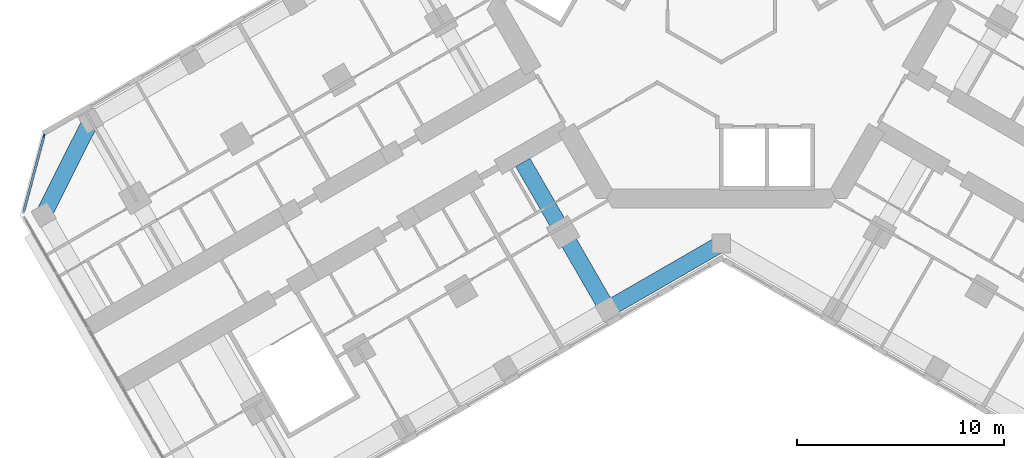
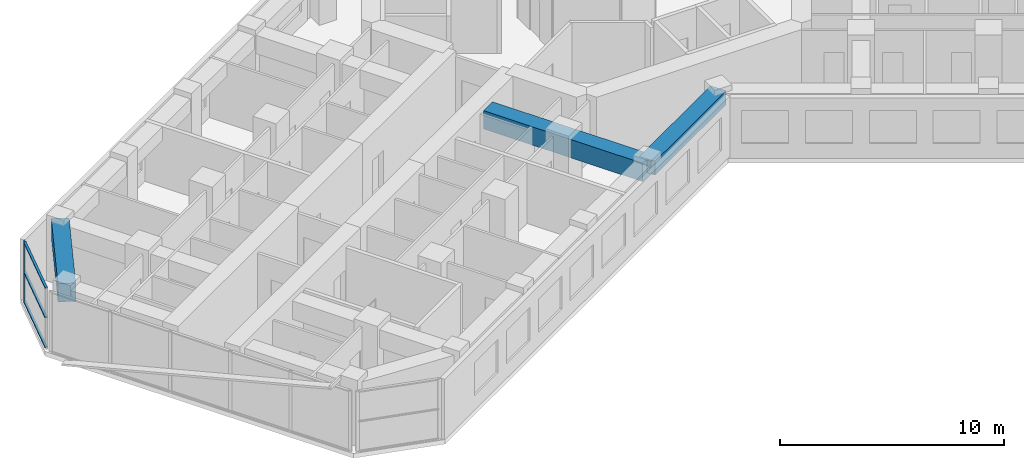
# One storey, part 3 of 20: 4 members, 3 beams, 1 element without a shape of its own.
"""IFC4 building model written with IfcOpenShell, lengths in metres."""

from ifc_helpers import new_model, si_unit, direction, frame, origin, origin_2d, place, context, subcontext, project, spatial, rectangle, extrude, material, material_profile, profile_set, type_object, element, aggregate, save


model = new_model("IFC4")

# Units and contexts
model_context = context("Model", 3, precision=1e-05, world=origin(), true_north=direction((0.0, 1.0)))
body_context = subcontext(model_context, "Body", "Model", "MODEL_VIEW")
ifc_project = project(units=[si_unit("LENGTHUNIT", "METRE"), si_unit("AREAUNIT", "SQUARE_METRE"), si_unit("VOLUMEUNIT", "CUBIC_METRE"), si_unit("PLANEANGLEUNIT", "RADIAN"), si_unit("MASSUNIT", "GRAM", prefix="KILO")], contexts=[model_context])

# Site, building, storey
site_placement = place(None, origin())
site = spatial("IfcSite", under=ifc_project, at=site_placement, CompositionType="ELEMENT")
building_placement = place(site_placement, origin())
building = spatial("IfcBuilding", under=site, at=building_placement, Name="Kosmar Iwan School Tower", CompositionType="ELEMENT")
storey_placement = place(building_placement, frame((0.0, 0.0, 183.199951171875)))
storey = spatial("IfcBuildingStorey", under=building, at=storey_placement, Name="L46", CompositionType="ELEMENT", Elevation=183.199951171875)

# Beams
ifc_material_1 = material(Name="Concrete C50/60", Category="concrete")
ifc_material_profile_1 = material_profile(ifc_material_1, rectangle(XDim=0.800048828125, YDim=0.75, at=origin_2d()), Name="RC 800x750 + HD 400x634")
ifc_profile_set_1 = profile_set([ifc_material_profile_1], Name="Concrete C50/60")
beam_type_1 = type_object("IfcBeamType", Name="Composite edge beam 800x750 HD 400x634", PredefinedType="BEAM", material=ifc_profile_set_1)
beam_1_placement = place(storey_placement, frame((0.0, -11.77783203125, 2.925048828125), z_axis=(-0.866014293216, -0.500019243575, 0.0), x_axis=(0.500019243575, -0.866014293216, 0.0)))
element("IfcBeam", 1, at=beam_1_placement, inside=storey, type_object=beam_type_1, Name="Edge beam BL1", PredefinedType="BEAM", context=body_context, shape_type="SweptSolid", body=[
    extrude(rectangle(XDim=0.800048828125, YDim=0.75, at=origin_2d()), origin(), (0.0, 0.0, 1.0), 6.361083984375),
])
ifc_material_2 = material(Name="Concrete C50/60", Category="concrete")
ifc_material_profile_2 = material_profile(ifc_material_2, rectangle(XDim=0.800048828125, YDim=1.0, at=origin_2d()), Name="RC 800x1000 + HD 400x347")
ifc_profile_set_2 = profile_set([ifc_material_profile_2], Name="Concrete C50/60")
beam_type_2 = type_object("IfcBeamType", Name="Composite tip beam 800x1000 HD 400x347", PredefinedType="BEAM", material=ifc_profile_set_2)
beam_2_placement = place(storey_placement, frame((-30.517822265625, -5.841552734375, 2.800048828125), z_axis=(-0.44809604203, -0.893985423325, 0.0), x_axis=(0.893985423325, -0.44809604203, 0.0)))
element("IfcBeam", 2, at=beam_2_placement, inside=storey, type_object=beam_type_2, Name="Tip beam BR", PredefinedType="BEAM", context=body_context, shape_type="SweptSolid", body=[
    extrude(rectangle(XDim=0.800048828125, YDim=1.0, at=origin_2d()), origin(), (0.0, 0.0, 1.0), 5.08935546875),
])
ifc_material_3 = material(Name="Concrete C50/60", Category="concrete")
ifc_material_profile_3 = material_profile(ifc_material_3, rectangle(XDim=0.800048828125, YDim=1.0, at=origin_2d()), Name="RC 800x1000 + HD 400x634")
ifc_profile_set_3 = profile_set([ifc_material_profile_3], Name="Concrete C50/60")
beam_type_3 = type_object("IfcBeamType", Name="Composite transverse beam 800x1000 HD 400x634", PredefinedType="BEAM", material=ifc_profile_set_3)
beam_3_placement = place(storey_placement, frame((-5.5087890625, -14.95849609375, 2.800048828125), z_axis=(-0.500000789788, 0.8660249478, 0.0), x_axis=(-0.8660249478, -0.500000789788, 0.0)))
element("IfcBeam", 3, at=beam_3_placement, inside=storey, type_object=beam_type_3, Name="Transverse beam BL1", PredefinedType="BEAM", context=body_context, shape_type="SweptSolid", body=[
    extrude(rectangle(XDim=0.800048828125, YDim=1.0, at=origin_2d()), origin(), (0.0, 0.0, 1.0), 8.2001953125),
])

# Curtain wall, members
ifc_material_4 = material(Name="Dark glass in black aluminium frame", Category="aluminium")
curtain_wall_type = type_object("IfcCurtainWallType", Name="Chamfer curtain wall dark glass", PredefinedType="USERDEFINED", material=ifc_material_4)
curtain_wall_placement = place(storey_placement, origin())
curtain_wall = element("IfcCurtainWall", 4, at=curtain_wall_placement, inside=storey, type_object=curtain_wall_type, Name="Curtain wall L46-F12", ObjectType="FACETED CURTAIN WALL", PredefinedType="USERDEFINED")
ifc_material_5 = material(Name="Black anodised aluminium", Category="aluminium")
ifc_material_profile_4 = material_profile(ifc_material_5, rectangle(XDim=0.06005859375, YDim=0.159912109375, at=origin_2d()), Name="MULLION 60x160")
ifc_profile_set_4 = profile_set([ifc_material_profile_4], Name="Black anodised aluminium")
member_type_1 = type_object("IfcMemberType", Name="Mullion 60x160", PredefinedType="MULLION", material=ifc_profile_set_4)
member_1_placement = place(storey_placement, frame((-32.78076171875, -6.5732421875, 0.0), z_axis=(0.0, 0.0, 1.0), x_axis=(0.965925875495, -0.258818861462, 0.0)))
member_1 = element("IfcMember", 5, at=member_1_placement, type_object=member_type_1, Name="CW2 mullion 1", PredefinedType="MULLION", context=body_context, shape_type="SweptSolid", body=[
    extrude(rectangle(XDim=0.06005859375, YDim=0.159912109375, at=origin_2d()), origin(), (0.0, 0.0, 1.0), 3.300048828125),
])
ifc_material_6 = material(Name="Black anodised aluminium", Category="aluminium")
ifc_material_profile_5 = material_profile(ifc_material_6, rectangle(XDim=0.1201171875, YDim=0.06005859375, at=origin_2d()), Name="TRANSOM 60x120")
ifc_profile_set_5 = profile_set([ifc_material_profile_5], Name="Black anodised aluminium")
member_type_2 = type_object("IfcMemberType", Name="Transom 60x120", PredefinedType="USERDEFINED", material=ifc_profile_set_5)
member_2_placement = place(storey_placement, frame((-32.788330078125, -6.602294921875, 0.030029296875), z_axis=(-0.258843273983, -0.965919333854, 0.0), x_axis=(0.965919333854, -0.258843273983, 0.0)))
member_2 = element("IfcMember", 6, at=member_2_placement, type_object=member_type_2, Name="CW2 transom 1.1", ObjectType="TRANSOM", PredefinedType="USERDEFINED", context=body_context, shape_type="SweptSolid", body=[
    extrude(rectangle(XDim=0.1201171875, YDim=0.06005859375, at=origin_2d()), origin(), (0.0, 0.0, 1.0), 3.718994140625),
])
member_3_placement = place(storey_placement, frame((-32.788330078125, -6.602294921875, 1.650146484375), z_axis=(-0.258843273983, -0.965919333854, 0.0), x_axis=(0.965919333854, -0.258843273983, 0.0)))
member_3 = element("IfcMember", 7, at=member_3_placement, type_object=member_type_2, Name="CW2 transom 1.2", ObjectType="TRANSOM", PredefinedType="USERDEFINED", context=body_context, shape_type="SweptSolid", body=[
    extrude(rectangle(XDim=0.1201171875, YDim=0.06005859375, at=origin_2d()), origin(), (0.0, 0.0, 1.0), 3.718994140625),
])
member_4_placement = place(storey_placement, frame((-32.788330078125, -6.602294921875, 3.27001953125), z_axis=(-0.258843273983, -0.965919333854, 0.0), x_axis=(0.965919333854, -0.258843273983, 0.0)))
member_4 = element("IfcMember", 8, at=member_4_placement, type_object=member_type_2, Name="CW2 transom 1.3", ObjectType="TRANSOM", PredefinedType="USERDEFINED", context=body_context, shape_type="SweptSolid", body=[
    extrude(rectangle(XDim=0.1201171875, YDim=0.06005859375, at=origin_2d()), origin(), (0.0, 0.0, 1.0), 3.718994140625),
])
aggregate(curtain_wall, [member_1, member_2, member_3, member_4])

save(model, "model.ifc")
